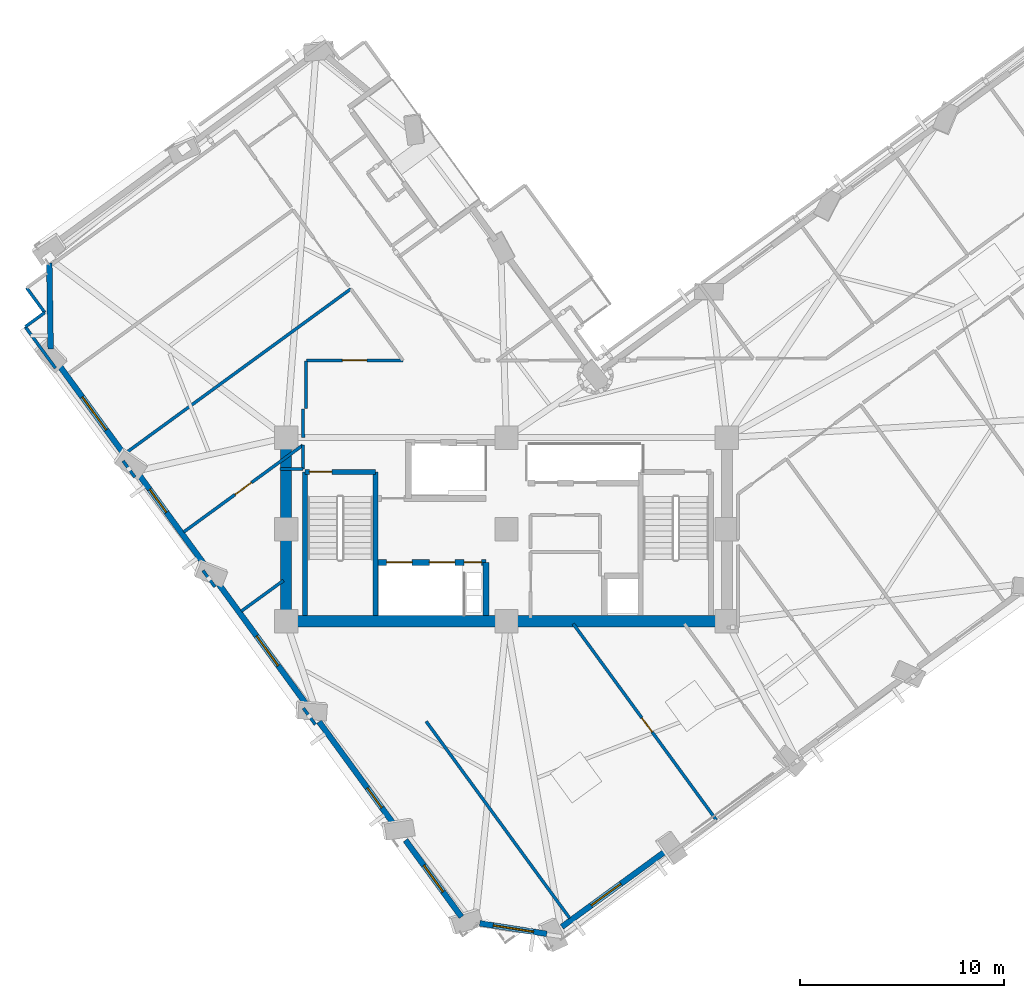
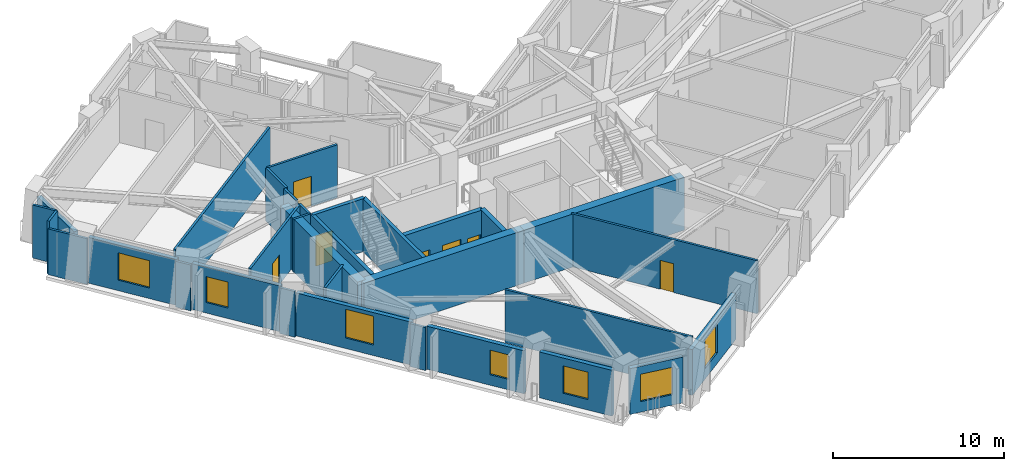
# One storey, part 5 of 14: 32 walls, 7 doors, 7 windows, 14 openings.
"""IFC4 building model written with IfcOpenShell, lengths in metres."""

from ifc_helpers import new_model, si_unit, direction, frame, frame_2d, origin, place, context, subcontext, project, spatial, rectangle, extrude, material, layer, layer_set, type_object, element, fill, save


model = new_model("IFC4")

# Units and contexts
model_context = context("Model", 3, precision=1e-05, world=origin(), true_north=direction((0.0, 1.0)))
body_context = subcontext(model_context, "Body", "Model", "MODEL_VIEW")
ifc_project = project(units=[si_unit("LENGTHUNIT", "METRE"), si_unit("AREAUNIT", "SQUARE_METRE"), si_unit("VOLUMEUNIT", "CUBIC_METRE"), si_unit("PLANEANGLEUNIT", "RADIAN"), si_unit("MASSUNIT", "GRAM", prefix="KILO")], contexts=[model_context])

# Site, building, storey
site_placement = place(None, origin())
site = spatial("IfcSite", under=ifc_project, at=site_placement, CompositionType="ELEMENT")
building_placement = place(site_placement, origin())
building = spatial("IfcBuilding", under=site, at=building_placement, Name="Gaonmaruhae Medical Tower", CompositionType="ELEMENT")
storey_placement = place(building_placement, frame((0.0, 0.0, 177.800048828125)))
storey = spatial("IfcBuildingStorey", under=building, at=storey_placement, Name="L42", CompositionType="ELEMENT", Elevation=177.800048828125)

# Walls
ifc_material_1 = material(Name="Concrete C50/60", Category="concrete")
ifc_layer_1 = layer(ifc_material_1, 0.550048828125)
ifc_layer_set_1 = layer_set([ifc_layer_1], Name="Concrete C50/60")
wall_type_1 = type_object("IfcWallType", Name="CW-550 Mid-High Core Shear Wall", PredefinedType="SHEAR", material=ifc_layer_set_1)
for number, where, z_axis, x_axis, name in (
    (1, (14.0, 7.800048828125, 0.0), (0.0, 0.0, 1.0), (1.0, 0.0, 0.0), "L42 Core Shear Wall CSW-S1"),
    (2, (24.800048828125, 7.800048828125, 0.0), (0.0, 0.0, 1.0), (1.0, 0.0, 0.0), "L42 Core Shear Wall CSW-S2"),
):
    element("IfcWall", number, at=place(storey_placement, frame(where, z_axis=z_axis, x_axis=x_axis)), inside=storey, type_object=wall_type_1, Name=name, PredefinedType="SHEAR", context=body_context, shape_type="SweptSolid", body=[
        extrude(rectangle(XDim=10.800048828125, YDim=0.550048828125, at=frame_2d((5.39990234375, 0.0))), origin(), (0.0, 0.0, 1.0), 3.780029296875),
    ])
wall_1_placement = place(storey_placement, frame((14.0, 16.800048828125, 0.0), z_axis=(0.0, 0.0, 1.0), x_axis=(0.0, -1.0, 0.0)))
element("IfcWall", 3, at=wall_1_placement, inside=storey, type_object=wall_type_1, Name="L42 Core Shear Wall CSW-W1", PredefinedType="SHEAR", context=body_context, shape_type="SweptSolid", body=[
    extrude(rectangle(XDim=9.0, YDim=0.550048828125, at=frame_2d((4.5, 0.0))), origin(), (0.0, 0.0, 1.0), 3.780029296875),
])

# Wall, opening, window
ifc_material_2 = material(Name="Precast concrete C45/55", Category="concrete")
ifc_layer_2 = layer(ifc_material_2, 0.280029296875)
ifc_layer_set_2 = layer_set([ifc_layer_2], Name="Precast concrete C45/55")
wall_type_2 = type_object("IfcWallType", Name="EW-280 Upper Precast Masonry-Frame Facade Wall", PredefinedType="SOLIDWALL", material=ifc_layer_set_2)
wall_2_placement = place(storey_placement, frame((32.577880859375, -3.48291015625, 0.0), z_axis=(0.0, 0.0, 1.0), x_axis=(-0.808006371669, -0.589173746312, 0.0)))
wall_2 = element("IfcWall", 4, at=wall_2_placement, inside=storey, type_object=wall_type_2, Name="L42 Precast Masonry-Frame Wall S01-S02", PredefinedType="SOLIDWALL", context=body_context, shape_type="SweptSolid", body=[
    extrude(rectangle(XDim=6.27001953125, YDim=0.280029296875, at=frame_2d((3.135009765625, 0.0))), origin(), (0.0, 0.0, 1.0), 3.264892578125),
])
opening_1_placement = place(wall_2_placement, frame((2.68994140625, 0.0, 0.75)))
opening_1 = element("IfcOpeningElement", 5, at=opening_1_placement, cuts=wall_2, Name="Opening WN-04", PredefinedType="OPENING", context=body_context, shape_type="SweptSolid", body=[
    extrude(rectangle(XDim=1.800048828125, YDim=2.050048828125, at=frame_2d((0.89990234375, 1.02490234375))), frame((0.0, 0.14990234375, 0.0), z_axis=(0.0, -1.0, 0.0), x_axis=(1.0, 0.0, 0.0)), (0.0, 0.0, 1.0), 0.300048828125),
])
ifc_material_3 = material(Name="Anodised aluminium and Low-E double glazing", Category="aluminium")
window_type_1 = type_object("IfcWindowType", Name="WN-04 Clinic & Consult Punched Window 1800x2050", PartitioningType="SINGLE_PANEL", PredefinedType="WINDOW", material=ifc_material_3)
window_1_placement = place(opening_1_placement, origin())
window_1 = element("IfcWindow", 6, at=window_1_placement, inside=storey, type_object=window_type_1, Name="L42 Modular Facade Window S01", OverallHeight=2.050048828125, OverallWidth=1.800048828125, PartitioningType="SINGLE_PANEL", PredefinedType="WINDOW", context=body_context, shape_type="SweptSolid", body=[
    extrude(rectangle(XDim=1.800048828125, YDim=2.050048828125, at=frame_2d((0.89990234375, 1.02490234375))), frame((0.0, 0.030029296875, 0.0), z_axis=(0.0, -1.0, 0.0), x_axis=(1.0, 0.0, 0.0)), (0.0, 0.0, 1.0), 0.06005859375),
])
fill(opening_1, window_1)

# Wall
wall_3_placement = place(storey_placement, frame((2.461181640625, 21.14501953125, 0.0), z_axis=(0.0, 0.0, 1.0), x_axis=(-0.015365849783, 0.999881938361, 0.0)))
element("IfcWall", 7, at=wall_3_placement, inside=storey, type_object=wall_type_2, Name="L42 Precast Masonry-Frame Wall N03-W01", PredefinedType="SOLIDWALL", context=body_context, shape_type="SweptSolid", body=[
    extrude(rectangle(XDim=4.21044921875, YDim=0.280029296875, at=frame_2d((2.105224609375, 0.0))), origin(), (0.0, 0.0, 1.0), 3.264892578125),
])

# Wall, opening, window
wall_4_placement = place(storey_placement, frame((6.198486328125, 15.787841796875, 0.0), z_axis=(0.0, 0.0, 1.0), x_axis=(-0.589159176224, 0.808016995534, 0.0)))
wall_4 = element("IfcWall", 8, at=wall_4_placement, inside=storey, type_object=wall_type_2, Name="L42 Precast Masonry-Frame Wall W01-W02", PredefinedType="SOLIDWALL", context=body_context, shape_type="SweptSolid", body=[
    extrude(rectangle(XDim=5.627685546875, YDim=0.280029296875, at=frame_2d((2.81396484375, 0.0))), origin(), (0.0, 0.0, 1.0), 3.264892578125),
])
opening_2_placement = place(wall_4_placement, frame((1.716796875, 0.0, 0.75)))
opening_2 = element("IfcOpeningElement", 9, at=opening_2_placement, cuts=wall_4, Name="Opening WN-02", PredefinedType="OPENING", context=body_context, shape_type="SweptSolid", body=[
    extrude(rectangle(XDim=2.0, YDim=1.949951171875, at=frame_2d((1.0, 0.97509765625))), frame((0.0, 0.14990234375, 0.0), z_axis=(0.0, -1.0, 0.0), x_axis=(1.0, 0.0, 0.0)), (0.0, 0.0, 1.0), 0.300048828125),
])
window_type_2 = type_object("IfcWindowType", Name="WN-02 Double-Bed Ward Punched Window 2000x1950", PartitioningType="SINGLE_PANEL", PredefinedType="WINDOW", material=ifc_material_3)
window_2_placement = place(opening_2_placement, origin())
window_2 = element("IfcWindow", 10, at=window_2_placement, inside=storey, type_object=window_type_2, Name="L42 Modular Facade Window W01", OverallHeight=1.949951171875, OverallWidth=2.0, PartitioningType="SINGLE_PANEL", PredefinedType="WINDOW", context=body_context, shape_type="SweptSolid", body=[
    extrude(rectangle(XDim=2.0, YDim=1.949951171875, at=frame_2d((1.0, 0.97509765625))), frame((0.0, 0.030029296875, 0.0), z_axis=(0.0, -1.0, 0.0), x_axis=(1.0, 0.0, 0.0)), (0.0, 0.0, 1.0), 0.06005859375),
])
fill(opening_2, window_2)

wall_5_placement = place(storey_placement, frame((10.113525390625, 10.4189453125, 0.0), z_axis=(0.0, 0.0, 1.0), x_axis=(-0.589176262837, 0.808004536688, 0.0)))
wall_5 = element("IfcWall", 11, at=wall_5_placement, inside=storey, type_object=wall_type_2, Name="L42 Precast Masonry-Frame Wall W02-W03", PredefinedType="SOLIDWALL", context=body_context, shape_type="SweptSolid", body=[
    extrude(rectangle(XDim=5.662109375, YDim=0.280029296875, at=frame_2d((2.8310546875, 0.0))), origin(), (0.0, 0.0, 1.0), 3.264892578125),
])
opening_3_placement = place(wall_5_placement, frame((3.355712890625, 0.0, 0.75)))
opening_3 = element("IfcOpeningElement", 12, at=opening_3_placement, cuts=wall_5, Name="Opening WN-03", PredefinedType="OPENING", context=body_context, shape_type="SweptSolid", body=[
    extrude(rectangle(XDim=1.39990234375, YDim=1.85009765625, at=frame_2d((0.699951171875, 0.925048828125))), frame((0.0, 0.14990234375, 0.0), z_axis=(0.0, -1.0, 0.0), x_axis=(1.0, 0.0, 0.0)), (0.0, 0.0, 1.0), 0.300048828125),
])
window_type_3 = type_object("IfcWindowType", Name="WN-03 Isolation Ward Punched Window 1400x1850", PartitioningType="SINGLE_PANEL", PredefinedType="WINDOW", material=ifc_material_3)
window_3_placement = place(opening_3_placement, origin())
window_3 = element("IfcWindow", 13, at=window_3_placement, inside=storey, type_object=window_type_3, Name="L42 Modular Facade Window W02", OverallHeight=1.85009765625, OverallWidth=1.39990234375, PartitioningType="SINGLE_PANEL", PredefinedType="WINDOW", context=body_context, shape_type="SweptSolid", body=[
    extrude(rectangle(XDim=1.39990234375, YDim=1.85009765625, at=frame_2d((0.699951171875, 0.925048828125))), frame((0.0, 0.030029296875, 0.0), z_axis=(0.0, -1.0, 0.0), x_axis=(1.0, 0.0, 0.0)), (0.0, 0.0, 1.0), 0.06005859375),
])
fill(opening_3, window_3)

wall_6_placement = place(storey_placement, frame((15.034912109375, 3.67041015625, 0.0), z_axis=(0.0, 0.0, 1.0), x_axis=(-0.589198775846, 0.807988120297, 0.0)))
wall_6 = element("IfcWall", 14, at=wall_6_placement, inside=storey, type_object=wall_type_2, Name="L42 Precast Masonry-Frame Wall W03-W04", PredefinedType="SOLIDWALL", context=body_context, shape_type="SweptSolid", body=[
    extrude(rectangle(XDim=7.3603515625, YDim=0.280029296875, at=frame_2d((3.68017578125, 0.0))), origin(), (0.0, 0.0, 1.0), 3.06494140625),
])
opening_4_placement = place(wall_6_placement, frame((2.4140625, 0.0, 0.75)))
opening_4 = element("IfcOpeningElement", 15, at=opening_4_placement, cuts=wall_6, Name="Opening WN-04", PredefinedType="OPENING", context=body_context, shape_type="SweptSolid", body=[
    extrude(rectangle(XDim=1.800048828125, YDim=2.050048828125, at=frame_2d((0.89990234375, 1.02490234375))), frame((0.0, 0.14990234375, 0.0), z_axis=(0.0, -1.0, 0.0), x_axis=(1.0, 0.0, 0.0)), (0.0, 0.0, 1.0), 0.300048828125),
])
window_4_placement = place(opening_4_placement, origin())
window_4 = element("IfcWindow", 16, at=window_4_placement, inside=storey, type_object=window_type_1, Name="L42 Modular Facade Window W03", OverallHeight=2.050048828125, OverallWidth=1.800048828125, PartitioningType="SINGLE_PANEL", PredefinedType="WINDOW", context=body_context, shape_type="SweptSolid", body=[
    extrude(rectangle(XDim=1.800048828125, YDim=2.050048828125, at=frame_2d((0.89990234375, 1.02490234375))), frame((0.0, 0.030029296875, 0.0), z_axis=(0.0, -1.0, 0.0), x_axis=(1.0, 0.0, 0.0)), (0.0, 0.0, 1.0), 0.06005859375),
])
fill(opening_4, window_4)

wall_7_placement = place(storey_placement, frame((19.28271484375, -2.155029296875, 0.0), z_axis=(0.0, 0.0, 1.0), x_axis=(-0.589199904009, 0.807987297621, 0.0)))
wall_7 = element("IfcWall", 17, at=wall_7_placement, inside=storey, type_object=wall_type_2, Name="L42 Precast Masonry-Frame Wall W04-W05", PredefinedType="SOLIDWALL", context=body_context, shape_type="SweptSolid", body=[
    extrude(rectangle(XDim=6.22314453125, YDim=0.280029296875, at=frame_2d((3.111572265625, 0.0))), origin(), (0.0, 0.0, 1.0), 3.06494140625),
])
opening_5_placement = place(wall_7_placement, frame((1.000244140625, 0.0, 0.75)))
opening_5 = element("IfcOpeningElement", 18, at=opening_5_placement, cuts=wall_7, Name="Opening WN-05", PredefinedType="OPENING", context=body_context, shape_type="SweptSolid", body=[
    extrude(rectangle(XDim=1.199951171875, YDim=1.75, at=frame_2d((0.60009765625, 0.875))), frame((0.0, 0.14990234375, 0.0), z_axis=(0.0, -1.0, 0.0), x_axis=(1.0, 0.0, 0.0)), (0.0, 0.0, 1.0), 0.300048828125),
])
window_type_4 = type_object("IfcWindowType", Name="WN-05 Support & Staff Punched Window 1200x1750", PartitioningType="SINGLE_PANEL", PredefinedType="WINDOW", material=ifc_material_3)
window_5_placement = place(opening_5_placement, origin())
window_5 = element("IfcWindow", 19, at=window_5_placement, inside=storey, type_object=window_type_4, Name="L42 Modular Facade Window W04", OverallHeight=1.75, OverallWidth=1.199951171875, PartitioningType="SINGLE_PANEL", PredefinedType="WINDOW", context=body_context, shape_type="SweptSolid", body=[
    extrude(rectangle(XDim=1.199951171875, YDim=1.75, at=frame_2d((0.60009765625, 0.875))), frame((0.0, 0.030029296875, 0.0), z_axis=(0.0, -1.0, 0.0), x_axis=(1.0, 0.0, 0.0)), (0.0, 0.0, 1.0), 0.06005859375),
])
fill(opening_5, window_5)

wall_8_placement = place(storey_placement, frame((22.590087890625, -6.6904296875, 0.0), z_axis=(0.0, 0.0, 1.0), x_axis=(-0.589195736184, 0.807990336862, 0.0)))
wall_8 = element("IfcWall", 20, at=wall_8_placement, inside=storey, type_object=wall_type_2, Name="L42 Precast Masonry-Frame Wall W05-W06", PredefinedType="SOLIDWALL", context=body_context, shape_type="SweptSolid", body=[
    extrude(rectangle(XDim=4.6474609375, YDim=0.280029296875, at=frame_2d((2.32373046875, 0.0))), origin(), (0.0, 0.0, 1.0), 3.264892578125),
])
opening_6_placement = place(wall_8_placement, frame((1.527099609375, 0.0, 0.75)))
opening_6 = element("IfcOpeningElement", 21, at=opening_6_placement, cuts=wall_8, Name="Opening WN-01", PredefinedType="OPENING", context=body_context, shape_type="SweptSolid", body=[
    extrude(rectangle(XDim=1.60009765625, YDim=1.949951171875, at=frame_2d((0.800048828125, 0.97509765625))), frame((0.0, 0.14990234375, 0.0), z_axis=(0.0, -1.0, 0.0), x_axis=(1.0, 0.0, 0.0)), (0.0, 0.0, 1.0), 0.300048828125),
])
window_type_5 = type_object("IfcWindowType", Name="WN-01 Ward Punched Acoustic Window 1600x1950", PartitioningType="SINGLE_PANEL", PredefinedType="WINDOW", material=ifc_material_3)
window_6_placement = place(opening_6_placement, origin())
window_6 = element("IfcWindow", 22, at=window_6_placement, inside=storey, type_object=window_type_5, Name="L42 Modular Facade Window W05", OverallHeight=1.949951171875, OverallWidth=1.60009765625, PartitioningType="SINGLE_PANEL", PredefinedType="WINDOW", context=body_context, shape_type="SweptSolid", body=[
    extrude(rectangle(XDim=1.60009765625, YDim=1.949951171875, at=frame_2d((0.800048828125, 0.97509765625))), frame((0.0, 0.030029296875, 0.0), z_axis=(0.0, -1.0, 0.0), x_axis=(1.0, 0.0, 0.0)), (0.0, 0.0, 1.0), 0.06005859375),
])
fill(opening_6, window_6)

wall_9_placement = place(storey_placement, frame((26.77490234375, -7.519775390625, 0.0), z_axis=(0.0, 0.0, 1.0), x_axis=(-0.987956990831, 0.154728744158, 0.0)))
wall_9 = element("IfcWall", 23, at=wall_9_placement, inside=storey, type_object=wall_type_2, Name="L42 Precast Masonry-Frame Wall W06-S01", PredefinedType="SOLIDWALL", context=body_context, shape_type="SweptSolid", body=[
    extrude(rectangle(XDim=3.322998046875, YDim=0.280029296875, at=frame_2d((1.66162109375, 0.0))), origin(), (0.0, 0.0, 1.0), 3.264892578125),
])
opening_7_placement = place(wall_9_placement, frame((0.660888671875, 0.0, 0.75)))
opening_7 = element("IfcOpeningElement", 24, at=opening_7_placement, cuts=wall_9, Name="Opening WN-02", PredefinedType="OPENING", context=body_context, shape_type="SweptSolid", body=[
    extrude(rectangle(XDim=2.0, YDim=1.949951171875, at=frame_2d((1.0, 0.97509765625))), frame((0.0, 0.14990234375, 0.0), z_axis=(0.0, -1.0, 0.0), x_axis=(1.0, 0.0, 0.0)), (0.0, 0.0, 1.0), 0.300048828125),
])
window_7_placement = place(opening_7_placement, origin())
window_7 = element("IfcWindow", 25, at=window_7_placement, inside=storey, type_object=window_type_2, Name="L42 Modular Facade Window W06", OverallHeight=1.949951171875, OverallWidth=2.0, PartitioningType="SINGLE_PANEL", PredefinedType="WINDOW", context=body_context, shape_type="SweptSolid", body=[
    extrude(rectangle(XDim=2.0, YDim=1.949951171875, at=frame_2d((1.0, 0.97509765625))), frame((0.0, 0.030029296875, 0.0), z_axis=(0.0, -1.0, 0.0), x_axis=(1.0, 0.0, 0.0)), (0.0, 0.0, 1.0), 0.06005859375),
])
fill(opening_7, window_7)

# Wall
ifc_material_4 = material(Name="Gypsum board partition", Category="gypsum")
ifc_layer_3 = layer(ifc_material_4, 0.14990234375)
ifc_layer_set_3 = layer_set([ifc_layer_3], Name="Gypsum board partition")
wall_type_3 = type_object("IfcWallType", Name="PW-150 Rated Clinical Corridor Partition", PredefinedType="PARTITIONING", material=ifc_layer_set_3)
wall_10_placement = place(storey_placement, frame((27.89697265625, -6.75390625, 0.0), z_axis=(0.0, 0.0, 1.0), x_axis=(-0.58926702976, 0.807938343958, 0.0)))
element("IfcWall", 26, at=wall_10_placement, inside=storey, type_object=wall_type_3, Name="L42 Interior Partition L42-SUP02-9", PredefinedType="PARTITIONING", context=body_context, shape_type="SweptSolid", body=[
    extrude(rectangle(XDim=11.93505859375, YDim=0.14990234375, at=frame_2d((5.967529296875, 0.0))), origin(), (0.0, 0.0, 1.0), 3.780029296875),
])

# Wall, opening, door
wall_11_placement = place(storey_placement, frame((28.070068359375, 7.6708984375, 0.0), z_axis=(0.0, 0.0, 1.0), x_axis=(0.589263140304, -0.807941180705, 0.0)))
wall_11 = element("IfcWall", 27, at=wall_11_placement, inside=storey, type_object=wall_type_3, Name="L42 Interior Partition L42-SUP03-12", PredefinedType="PARTITIONING", context=body_context, shape_type="SweptSolid", body=[
    extrude(rectangle(XDim=11.89794921875, YDim=0.14990234375, at=frame_2d((5.948974609375, 0.0))), origin(), (0.0, 0.0, 1.0), 3.780029296875),
])
opening_8_placement = place(wall_11_placement, frame((5.704345703125, 0.0, 0.0)))
opening_8 = element("IfcOpeningElement", 28, at=opening_8_placement, cuts=wall_11, Name="Opening AD-01", PredefinedType="OPENING", context=body_context, shape_type="SweptSolid", body=[
    extrude(rectangle(XDim=0.860107421875, YDim=2.06005859375, at=frame_2d((0.43017578125, 1.030029296875))), frame((0.0, 0.0849609375, 0.0), z_axis=(0.0, -1.0, 0.0), x_axis=(1.0, 0.0, 0.0)), (0.0, 0.0, 1.0), 0.169921875),
])
ifc_material_5 = material(Name="Powder-coated steel access door", Category="steel")
door_type_1 = type_object("IfcDoorType", Name="AD-01 Riser & Closet Access Fire Door 860x2060", OperationType="NOTDEFINED", PredefinedType="DOOR", material=ifc_material_5)
door_1_placement = place(opening_8_placement, origin())
door_1 = element("IfcDoor", 29, at=door_1_placement, inside=storey, type_object=door_type_1, Name="L42 Clinical Biomedical Charting Office Sliding Door", OperationType="SLIDING_TO_LEFT", OverallHeight=2.06005859375, OverallWidth=0.860107421875, PredefinedType="DOOR", context=body_context, shape_type="SweptSolid", body=[
    extrude(rectangle(XDim=0.860107421875, YDim=2.06005859375, at=frame_2d((0.43017578125, 1.030029296875))), frame((0.0, 0.02490234375, 0.0), z_axis=(0.0, -1.0, 0.0), x_axis=(1.0, 0.0, 0.0)), (0.0, 0.0, 1.0), 0.050048828125),
])
fill(opening_8, door_1)

# Walls
wall_12_placement = place(storey_placement, frame((15.429931640625, 2.738037109375, 0.0), z_axis=(0.0, 0.0, 1.0), x_axis=(-0.589010501725, 0.808125379417, 0.0)))
element("IfcWall", 30, at=wall_12_placement, inside=storey, type_object=wall_type_3, Name="L42 Interior Partition L42-WOF12-39", PredefinedType="PARTITIONING", context=body_context, shape_type="SweptSolid", body=[
    extrude(rectangle(XDim=0.986083984375, YDim=0.14990234375, at=frame_2d((0.4931640625, 0.0))), origin(), (0.0, 0.0, 1.0), 3.06494140625),
])
wall_13_placement = place(storey_placement, frame((11.80810546875, 8.291015625, 0.0), z_axis=(0.0, 0.0, 1.0), x_axis=(0.808256006109, 0.58883123948, 0.0)))
element("IfcWall", 31, at=wall_13_placement, inside=storey, type_object=wall_type_3, Name="L42 Interior Partition L42-WOF13-42", PredefinedType="PARTITIONING", context=body_context, shape_type="SweptSolid", body=[
    extrude(rectangle(XDim=2.552490234375, YDim=0.14990234375, at=frame_2d((1.2763671875, 0.0))), origin(), (0.0, 0.0, 1.0), 3.780029296875),
])
wall_14_placement = place(storey_placement, frame((10.511962890625, 9.48193359375, 0.0), z_axis=(0.0, 0.0, 1.0), x_axis=(-0.589751191607, 0.807584999859, 0.0)))
element("IfcWall", 32, at=wall_14_placement, inside=storey, type_object=wall_type_3, Name="L42 Interior Partition L42-WCL14-43", PredefinedType="PARTITIONING", context=body_context, shape_type="SweptSolid", body=[
    extrude(rectangle(XDim=0.991943359375, YDim=0.14990234375, at=frame_2d((0.49609375, 0.0))), origin(), (0.0, 0.0, 1.0), 3.264892578125),
])

# Wall, opening, door
wall_15_placement = place(storey_placement, frame((8.97998046875, 12.1689453125, 0.0), z_axis=(0.0, 0.0, 1.0), x_axis=(0.808029975649, 0.58914137391, 0.0)))
wall_15 = element("IfcWall", 33, at=wall_15_placement, inside=storey, type_object=wall_type_3, Name="L42 Interior Partition L42-WCL14-44", PredefinedType="PARTITIONING", context=body_context, shape_type="SweptSolid", body=[
    extrude(rectangle(XDim=7.2275390625, YDim=0.14990234375, at=frame_2d((3.61376953125, 0.0))), origin(), (0.0, 0.0, 1.0), 3.780029296875),
])
opening_9_placement = place(wall_15_placement, frame((3.11376953125, 0.0, 0.0)))
opening_9 = element("IfcOpeningElement", 34, at=opening_9_placement, cuts=wall_15, Name="Opening CD-01", PredefinedType="OPENING", context=body_context, shape_type="SweptSolid", body=[
    extrude(rectangle(XDim=1.0, YDim=2.1201171875, at=frame_2d((0.5, 1.06005859375))), frame((0.0, 0.0849609375, 0.0), z_axis=(0.0, -1.0, 0.0), x_axis=(1.0, 0.0, 0.0)), (0.0, 0.0, 1.0), 0.169921875),
])
ifc_material_6 = material(Name="Antimicrobial laminate timber fire door", Category="wood")
door_type_2 = type_object("IfcDoorType", Name="CD-01 Consultation & Physician Office Door 1000x2120", OperationType="NOTDEFINED", PredefinedType="DOOR", material=ifc_material_6)
door_2_placement = place(opening_9_placement, origin())
door_2 = element("IfcDoor", 35, at=door_2_placement, inside=storey, type_object=door_type_2, Name="L42 Specialist Consultation Office Sliding Door", OperationType="SLIDING_TO_LEFT", OverallHeight=2.1201171875, OverallWidth=1.0, PredefinedType="DOOR", context=body_context, shape_type="SweptSolid", body=[
    extrude(rectangle(XDim=1.0, YDim=2.1201171875, at=frame_2d((0.5, 1.06005859375))), frame((0.0, 0.02490234375, 0.0), z_axis=(0.0, -1.0, 0.0), x_axis=(1.0, 0.0, 0.0)), (0.0, 0.0, 1.0), 0.050048828125),
])
fill(opening_9, door_2)

# Walls
wall_16_placement = place(storey_placement, frame((14.820068359375, 16.427001953125, 0.0), z_axis=(0.0, 0.0, 1.0), x_axis=(0.0, -1.0, 0.0)))
element("IfcWall", 36, at=wall_16_placement, inside=storey, type_object=wall_type_3, Name="L42 Interior Partition L42-WCL14-45", PredefinedType="PARTITIONING", context=body_context, shape_type="SweptSolid", body=[
    extrude(rectangle(XDim=1.1669921875, YDim=0.14990234375, at=frame_2d((0.58349609375, 0.0))), origin(), (0.0, 0.0, 1.0), 3.780029296875),
])
wall_17_placement = place(storey_placement, frame((14.820068359375, 15.260009765625, 0.0), z_axis=(0.0, 0.0, 1.0), x_axis=(-1.0, 0.0, 0.0)))
element("IfcWall", 37, at=wall_17_placement, inside=storey, type_object=wall_type_3, Name="L42 Interior Partition L42-WCL14-46", PredefinedType="PARTITIONING", context=body_context, shape_type="SweptSolid", body=[
    extrude(rectangle(XDim=1.1201171875, YDim=0.14990234375, at=frame_2d((0.56005859375, 0.0))), origin(), (0.0, 0.0, 1.0), 3.780029296875),
])
wall_18_placement = place(storey_placement, frame((14.969970703125, 20.550048828125, 0.0), z_axis=(0.0, 0.0, 1.0), x_axis=(0.0, -1.0, 0.0)))
element("IfcWall", 38, at=wall_18_placement, inside=storey, type_object=wall_type_3, Name="L42 Interior Partition L42-WOF15-47", PredefinedType="PARTITIONING", context=body_context, shape_type="SweptSolid", body=[
    extrude(rectangle(XDim=2.320068359375, YDim=0.14990234375, at=frame_2d((1.16015625, 0.0))), origin(), (0.0, 0.0, 1.0), 3.780029296875),
])
wall_19_placement = place(storey_placement, frame((14.820068359375, 18.202880859375, 0.0), z_axis=(0.0, 0.0, 1.0), x_axis=(0.014965257436, -0.999888014265, 0.0)))
element("IfcWall", 39, at=wall_19_placement, inside=storey, type_object=wall_type_3, Name="L42 Interior Partition L42-WOF15-48", PredefinedType="PARTITIONING", context=body_context, shape_type="SweptSolid", body=[
    extrude(rectangle(XDim=1.403076171875, YDim=0.14990234375, at=frame_2d((0.70166015625, 0.0))), origin(), (0.0, 0.0, 1.0), 3.780029296875),
])
wall_20_placement = place(storey_placement, frame((6.592041015625, 14.85791015625, 0.0), z_axis=(0.0, 0.0, 1.0), x_axis=(-0.589175535911, 0.808005066744, 0.0)))
element("IfcWall", 40, at=wall_20_placement, inside=storey, type_object=wall_type_3, Name="L42 Interior Partition L42-WOF15-49", PredefinedType="PARTITIONING", context=body_context, shape_type="SweptSolid", body=[
    extrude(rectangle(XDim=0.98291015625, YDim=0.14990234375, at=frame_2d((0.491455078125, 0.0))), origin(), (0.0, 0.0, 1.0), 3.264892578125),
])
wall_21_placement = place(storey_placement, frame((6.152099609375, 16.047119140625, 0.0), z_axis=(0.0, 0.0, 1.0), x_axis=(0.807978938545, 0.589211366886, 0.0)))
element("IfcWall", 41, at=wall_21_placement, inside=storey, type_object=wall_type_3, Name="L42 Interior Partition L42-WOF15-50", PredefinedType="PARTITIONING", context=body_context, shape_type="SweptSolid", body=[
    extrude(rectangle(XDim=13.635009765625, YDim=0.14990234375, at=frame_2d((6.8173828125, 0.0))), origin(), (0.0, 0.0, 1.0), 3.780029296875),
])

# Wall, opening, door
wall_22_placement = place(storey_placement, frame((19.721923828125, 20.580078125, 0.0), z_axis=(0.0, 0.0, 1.0), x_axis=(-1.0, 0.0, 0.0)))
wall_22 = element("IfcWall", 42, at=wall_22_placement, inside=storey, type_object=wall_type_3, Name="L42 Interior Partition L42-WOF15-52", PredefinedType="PARTITIONING", context=body_context, shape_type="SweptSolid", body=[
    extrude(rectangle(XDim=4.724853515625, YDim=0.14990234375, at=frame_2d((2.3623046875, 0.0))), origin(), (0.0, 0.0, 1.0), 3.780029296875),
])
opening_10_placement = place(wall_22_placement, frame((1.762451171875, 0.0, 0.0)))
opening_10 = element("IfcOpeningElement", 43, at=opening_10_placement, cuts=wall_22, Name="Opening CD-02", PredefinedType="OPENING", context=body_context, shape_type="SweptSolid", body=[
    extrude(rectangle(XDim=1.199951171875, YDim=2.14990234375, at=frame_2d((0.60009765625, 1.074951171875))), frame((0.0, 0.0849609375, 0.0), z_axis=(0.0, -1.0, 0.0), x_axis=(1.0, 0.0, 0.0)), (0.0, 0.0, 1.0), 0.169921875),
])
door_type_3 = type_object("IfcDoorType", Name="CD-02 Clinical Treatment & Procedure Door 1200x2150", OperationType="NOTDEFINED", PredefinedType="DOOR", material=ifc_material_6)
door_3_placement = place(opening_10_placement, origin())
door_3 = element("IfcDoor", 44, at=door_3_placement, inside=storey, type_object=door_type_3, Name="L42 Ward Physician Reporting Office Door", OperationType="SINGLE_SWING_RIGHT", OverallHeight=2.14990234375, OverallWidth=1.199951171875, PredefinedType="DOOR", context=body_context, shape_type="SweptSolid", body=[
    extrude(rectangle(XDim=1.199951171875, YDim=2.14990234375, at=frame_2d((0.60009765625, 1.074951171875))), frame((0.0, 0.02490234375, 0.0), z_axis=(0.0, -1.0, 0.0), x_axis=(1.0, 0.0, 0.0)), (0.0, 0.0, 1.0), 0.050048828125),
])
fill(opening_10, door_3)

# Walls
wall_23_placement = place(storey_placement, frame((2.697021484375, 20.199951171875, 0.0), z_axis=(0.0, 0.0, 1.0), x_axis=(-0.589154949726, 0.808020077234, 0.0)))
element("IfcWall", 45, at=wall_23_placement, inside=storey, type_object=wall_type_3, Name="L42 Interior Partition L42-WOF17-57", PredefinedType="PARTITIONING", context=body_context, shape_type="SweptSolid", body=[
    extrude(rectangle(XDim=2.5087890625, YDim=0.14990234375, at=frame_2d((1.25439453125, 0.0))), origin(), (0.0, 0.0, 1.0), 3.264892578125),
])
wall_24_placement = place(storey_placement, frame((1.218994140625, 22.22705078125, 0.0), z_axis=(0.0, 0.0, 1.0), x_axis=(0.80797468736, 0.589217196443, 0.0)))
element("IfcWall", 46, at=wall_24_placement, inside=storey, type_object=wall_type_3, Name="L42 Interior Partition L42-WOF17-58", PredefinedType="PARTITIONING", context=body_context, shape_type="SweptSolid", body=[
    extrude(rectangle(XDim=1.1796875, YDim=0.14990234375, at=frame_2d((0.58984375, 0.0))), origin(), (0.0, 0.0, 1.0), 3.780029296875),
])
wall_25_placement = place(storey_placement, frame((2.172119140625, 22.922119140625, 0.0), z_axis=(0.0, 0.0, 1.0), x_axis=(-0.589322677246, 0.807897754722, 0.0)))
element("IfcWall", 47, at=wall_25_placement, inside=storey, type_object=wall_type_3, Name="L42 Interior Partition L42-WOF17-59", PredefinedType="PARTITIONING", context=body_context, shape_type="SweptSolid", body=[
    extrude(rectangle(XDim=1.5, YDim=0.14990234375, at=frame_2d((0.75, 0.0))), origin(), (0.0, 0.0, 1.0), 3.780029296875),
])

# Wall, opening, door
ifc_layer_4 = layer(ifc_material_1, 0.239990234375)
ifc_layer_set_4 = layer_set([ifc_layer_4], Name="Concrete C50/60")
wall_type_4 = type_object("IfcWallType", Name="SW-240 Dogleg Stair Tight Shaft Wall", PredefinedType="SOLIDWALL", material=ifc_layer_set_4)
wall_26_placement = place(storey_placement, frame((14.919921875, 15.1201171875, 0.0), z_axis=(0.0, 0.0, 1.0), x_axis=(1.0, 0.0, 0.0)))
wall_26 = element("IfcWall", 48, at=wall_26_placement, inside=storey, type_object=wall_type_4, Name="L42 ST-01 Stair Shaft Wall SHW-ST-01-N", PredefinedType="SOLIDWALL", context=body_context, shape_type="SweptSolid", body=[
    extrude(rectangle(XDim=3.4599609375, YDim=0.239990234375, at=frame_2d((1.72998046875, 0.0))), origin(), (0.0, 0.0, 1.0), 3.780029296875),
])
opening_11_placement = place(wall_26_placement, frame((0.219970703125, 0.0, 0.0)))
opening_11 = element("IfcOpeningElement", 49, at=opening_11_placement, cuts=wall_26, Name="Opening FD-01", PredefinedType="OPENING", context=body_context, shape_type="SweptSolid", body=[
    extrude(rectangle(XDim=1.10009765625, YDim=2.14990234375, at=frame_2d((0.550048828125, 1.074951171875))), frame((0.0, 0.1298828125, 0.0), z_axis=(0.0, -1.0, 0.0), x_axis=(1.0, 0.0, 0.0)), (0.0, 0.0, 1.0), 0.260009765625),
])
ifc_material_7 = material(Name="Powder-coated steel fire door", Category="steel")
door_type_4 = type_object("IfcDoorType", Name="FD-01 Escape Stair Protected Fire Door 1100x2150", OperationType="NOTDEFINED", PredefinedType="DOOR", material=ifc_material_7)
door_4_placement = place(opening_11_placement, origin())
door_4 = element("IfcDoor", 50, at=door_4_placement, inside=storey, type_object=door_type_4, Name="L42 ST-01 Protected Escape Stair Door", OperationType="SINGLE_SWING_RIGHT", OverallHeight=2.14990234375, OverallWidth=1.10009765625, PredefinedType="DOOR", context=body_context, shape_type="SweptSolid", body=[
    extrude(rectangle(XDim=1.10009765625, YDim=2.14990234375, at=frame_2d((0.550048828125, 1.074951171875))), frame((0.0, 0.02490234375, 0.0), z_axis=(0.0, -1.0, 0.0), x_axis=(1.0, 0.0, 0.0)), (0.0, 0.0, 1.0), 0.050048828125),
])
fill(opening_11, door_4)

# Walls
for number, where, z_axis, x_axis, name in (
    (51, (18.3798828125, 15.1201171875, 0.0), (0.0, 0.0, 1.0), (0.0, -1.0, 0.0), "L42 ST-01 Stair Shaft Wall SHW-ST-01-E"),
    (52, (14.919921875, 8.074951171875, 0.0), (0.0, 0.0, 1.0), (0.0, 1.0, 0.0), "L42 ST-01 Stair Shaft Wall SHW-ST-01-W"),
):
    element("IfcWall", number, at=place(storey_placement, frame(where, z_axis=z_axis, x_axis=x_axis)), inside=storey, type_object=wall_type_4, Name=name, PredefinedType="SOLIDWALL", context=body_context, shape_type="SweptSolid", body=[
        extrude(rectangle(XDim=7.045166015625, YDim=0.239990234375, at=frame_2d((3.5224609375, 0.0))), origin(), (0.0, 0.0, 1.0), 3.780029296875),
    ])

# Wall, openings, doors
ifc_layer_5 = layer(ifc_material_1, 0.300048828125)
ifc_layer_set_5 = layer_set([ifc_layer_5], Name="Concrete C50/60")
wall_type_5 = type_object("IfcWallType", Name="SW-300 Stair & Lift Hoistway Shaft Wall", PredefinedType="SOLIDWALL", material=ifc_layer_set_5)
wall_27_placement = place(storey_placement, frame((18.5, 10.679931640625, 0.0), z_axis=(0.0, 0.0, 1.0), x_axis=(1.0, 0.0, 0.0)))
wall_27 = element("IfcWall", 53, at=wall_27_placement, inside=storey, type_object=wall_type_5, Name="L42 Shaft Enclosure Wall SHW-FFN", PredefinedType="SOLIDWALL", context=body_context, shape_type="SweptSolid", body=[
    extrude(rectangle(XDim=5.300048828125, YDim=0.300048828125, at=frame_2d((2.64990234375, 0.0))), origin(), (0.0, 0.0, 1.0), 3.780029296875),
])
opening_12_placement = place(wall_27_placement, frame((4.219970703125, 0.0, 0.0)))
opening_12 = element("IfcOpeningElement", 54, at=opening_12_placement, cuts=wall_27, Name="Opening AD-01", PredefinedType="OPENING", context=body_context, shape_type="SweptSolid", body=[
    extrude(rectangle(XDim=0.860107421875, YDim=2.06005859375, at=frame_2d((0.43017578125, 1.030029296875))), frame((0.0, 0.16015625, 0.0), z_axis=(0.0, -1.0, 0.0), x_axis=(1.0, 0.0, 0.0)), (0.0, 0.0, 1.0), 0.320068359375),
])
opening_13_placement = place(wall_27_placement, frame((0.425048828125, 0.0, 0.0)))
opening_13 = element("IfcOpeningElement", 55, at=opening_13_placement, cuts=wall_27, Name="Opening LD-F1", PredefinedType="OPENING", context=body_context, shape_type="SweptSolid", body=[
    extrude(rectangle(XDim=1.25, YDim=2.179931640625, at=frame_2d((0.625, 1.08984375))), frame((0.0, 0.16015625, 0.0), z_axis=(0.0, -1.0, 0.0), x_axis=(1.0, 0.0, 0.0)), (0.0, 0.0, 1.0), 0.320068359375),
])
opening_14_placement = place(wall_27_placement, frame((2.52490234375, 0.0, 0.0)))
opening_14 = element("IfcOpeningElement", 56, at=opening_14_placement, cuts=wall_27, Name="Opening LD-F1", PredefinedType="OPENING", context=body_context, shape_type="SweptSolid", body=[
    extrude(rectangle(XDim=1.25, YDim=2.179931640625, at=frame_2d((0.625, 1.08984375))), frame((0.0, 0.16015625, 0.0), z_axis=(0.0, -1.0, 0.0), x_axis=(1.0, 0.0, 0.0)), (0.0, 0.0, 1.0), 0.320068359375),
])
door_5_placement = place(opening_12_placement, origin())
door_5 = element("IfcDoor", 57, at=door_5_placement, inside=storey, type_object=door_type_1, Name="L42 Medical Gas and MEP Riser Access Door", OperationType="SINGLE_SWING_RIGHT", OverallHeight=2.06005859375, OverallWidth=0.860107421875, PredefinedType="DOOR", context=body_context, shape_type="SweptSolid", body=[
    extrude(rectangle(XDim=0.860107421875, YDim=2.06005859375, at=frame_2d((0.43017578125, 1.030029296875))), frame((0.0, 0.02490234375, 0.0), z_axis=(0.0, -1.0, 0.0), x_axis=(1.0, 0.0, 0.0)), (0.0, 0.0, 1.0), 0.050048828125),
])
fill(opening_12, door_5)
ifc_material_8 = material(Name="Brushed stainless steel 316L landing door", Category="steel")
door_type_5 = type_object("IfcDoorType", Name="LD-F1 Firefighting & Bed Lift Sliding Landing Door 1250x2180", OperationType="NOTDEFINED", PredefinedType="DOOR", material=ifc_material_8)
door_6_placement = place(opening_13_placement, origin())
door_6 = element("IfcDoor", 58, at=door_6_placement, inside=storey, type_object=door_type_5, Name="L42 Firefighting Lift Landing Door FFL-01", OperationType="DOUBLE_DOOR_SLIDING", OverallHeight=2.179931640625, OverallWidth=1.25, PredefinedType="DOOR", context=body_context, shape_type="SweptSolid", body=[
    extrude(rectangle(XDim=1.25, YDim=2.179931640625, at=frame_2d((0.625, 1.08984375))), frame((0.0, 0.02490234375, 0.0), z_axis=(0.0, -1.0, 0.0), x_axis=(1.0, 0.0, 0.0)), (0.0, 0.0, 1.0), 0.050048828125),
])
fill(opening_13, door_6)
door_7_placement = place(opening_14_placement, origin())
door_7 = element("IfcDoor", 59, at=door_7_placement, inside=storey, type_object=door_type_5, Name="L42 Firefighting Lift Landing Door FFL-02", OperationType="DOUBLE_DOOR_SLIDING", OverallHeight=2.179931640625, OverallWidth=1.25, PredefinedType="DOOR", context=body_context, shape_type="SweptSolid", body=[
    extrude(rectangle(XDim=1.25, YDim=2.179931640625, at=frame_2d((0.625, 1.08984375))), frame((0.0, 0.02490234375, 0.0), z_axis=(0.0, -1.0, 0.0), x_axis=(1.0, 0.0, 0.0)), (0.0, 0.0, 1.0), 0.050048828125),
])
fill(opening_14, door_7)

# Wall
wall_28_placement = place(storey_placement, frame((23.800048828125, 8.074951171875, 0.0), z_axis=(0.0, 0.0, 1.0), x_axis=(0.0, 1.0, 0.0)))
element("IfcWall", 60, at=wall_28_placement, inside=storey, type_object=wall_type_5, Name="L42 Shaft Enclosure Wall SHW-FFE", PredefinedType="SOLIDWALL", context=body_context, shape_type="SweptSolid", body=[
    extrude(rectangle(XDim=2.60498046875, YDim=0.300048828125, at=frame_2d((1.302490234375, 0.0))), origin(), (0.0, 0.0, 1.0), 3.780029296875),
])

save(model, "model.ifc")
